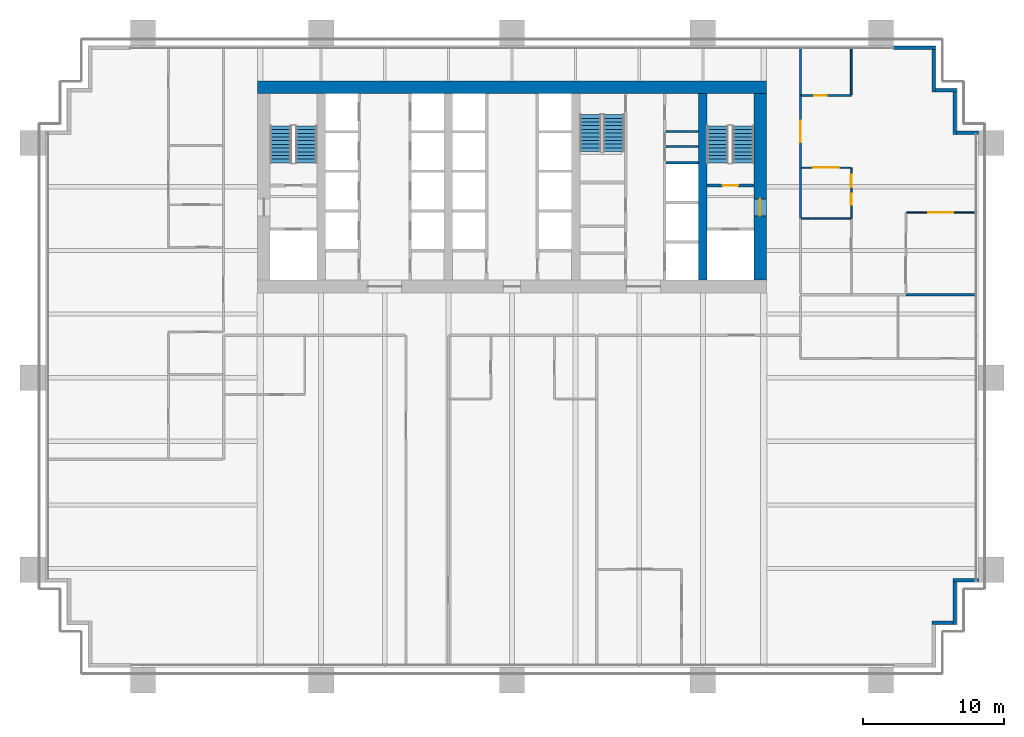
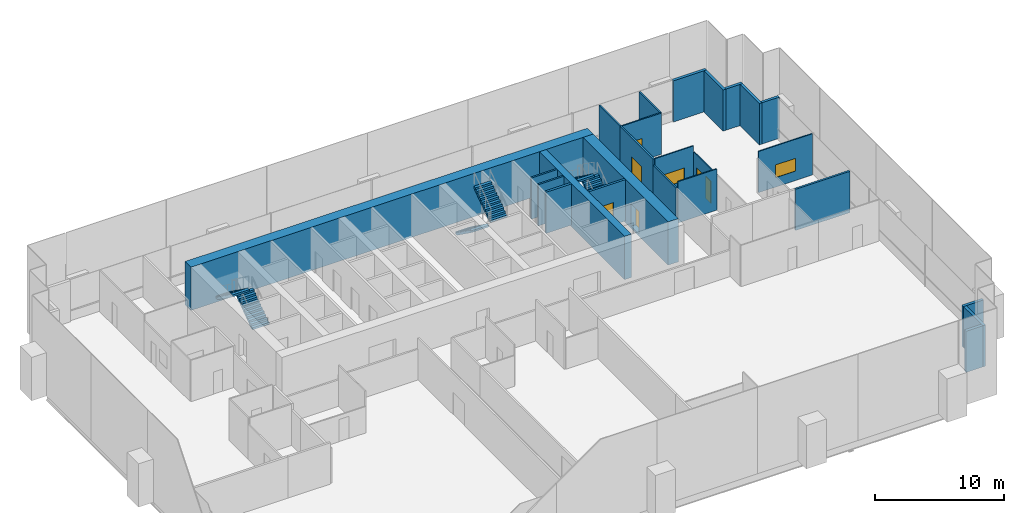
# One storey, part 14 of 17: 25 walls, 6 stair flights, 5 doors, 3 windows, 8 openings, 3 elements without a shape of their own.
"""IFC4 building model written with IfcOpenShell, lengths in metres."""

from ifc_helpers import new_model, si_unit, direction, frame, frame_2d, origin, place, context, subcontext, project, spatial, polyline, rectangle, outline, extrude, material, layer, layer_set, type_object, element, fill, aggregate, save


model = new_model("IFC4")

# Units and contexts
model_context = context("Model", 3, precision=1e-05, world=origin(), true_north=direction((0.0, 1.0)))
body_context = subcontext(model_context, "Body", "Model", "MODEL_VIEW")
ifc_project = project(units=[si_unit("LENGTHUNIT", "METRE"), si_unit("AREAUNIT", "SQUARE_METRE"), si_unit("VOLUMEUNIT", "CUBIC_METRE"), si_unit("PLANEANGLEUNIT", "RADIAN"), si_unit("MASSUNIT", "GRAM", prefix="KILO")], contexts=[model_context])

# Site, building, storey
site_placement = place(None, origin())
site = spatial("IfcSite", under=ifc_project, at=site_placement, CompositionType="ELEMENT")
building_placement = place(site_placement, origin())
building = spatial("IfcBuilding", under=site, at=building_placement, Name="Rattan Terrace Tower", CompositionType="ELEMENT")
storey_placement = place(building_placement, frame((0.0, 0.0, 44.699951171875)))
storey = spatial("IfcBuildingStorey", under=building, at=storey_placement, Name="L09", CompositionType="ELEMENT", Elevation=44.699951171875)

# Walls
ifc_material_1 = material(Name="Gypsum board partition")
ifc_layer_1 = layer(ifc_material_1, 0.14990234375)
ifc_layer_set_1 = layer_set([ifc_layer_1], Name="Core partition 150")
wall_type_1 = type_object("IfcWallType", Name="Core partition 150", PredefinedType="PARTITIONING", material=ifc_layer_set_1)
for number, where, z_axis, x_axis, name in (
    (1, (10.89990234375, 2.85595703125, 0.0), (0.0, 0.0, 1.0), (1.0, 0.0, 0.0), "Riser room wall"),
    (2, (10.89990234375, 3.912109375, 0.0), (0.0, 0.0, 1.0), (1.0, 0.0, 0.0), "Riser room wall"),
):
    element("IfcWall", number, at=place(storey_placement, frame(where, z_axis=z_axis, x_axis=x_axis)), inside=storey, type_object=wall_type_1, Name=name, PredefinedType="PARTITIONING", context=body_context, shape_type="SweptSolid", body=[
        extrude(rectangle(XDim=2.300048828125, YDim=0.14990234375, at=frame_2d((1.14990234375, 0.0))), origin(), (0.0, 0.0, 1.0), 3.900146484375),
    ])

# Wall, opening, door
ifc_material_2 = material(Name="Gypsum board partition")
ifc_layer_2 = layer(ifc_material_2, 0.199951171875)
ifc_layer_set_2 = layer_set([ifc_layer_2], Name="Core partition 200")
wall_type_2 = type_object("IfcWallType", Name="Core partition 200", PredefinedType="PARTITIONING", material=ifc_layer_set_2)
wall_1_placement = place(storey_placement, frame((13.800048828125, 0.10009765625, 0.0), z_axis=(0.0, 0.0, 1.0), x_axis=(1.0, 0.0, 0.0)))
wall_1 = element("IfcWall", 3, at=wall_1_placement, inside=storey, type_object=wall_type_2, Name="Stair enclosure wall", PredefinedType="PARTITIONING", context=body_context, shape_type="SweptSolid", body=[
    extrude(rectangle(XDim=3.300048828125, YDim=0.199951171875, at=frame_2d((1.64990234375, 0.0))), origin(), (0.0, 0.0, 1.0), 3.900146484375),
])
opening_1_placement = place(wall_1_placement, frame((1.10009765625, 0.0, 0.0)))
opening_1 = element("IfcOpeningElement", 4, at=opening_1_placement, cuts=wall_1, Name="Opening L09-D004", PredefinedType="OPENING", context=body_context, shape_type="SweptSolid", body=[
    extrude(rectangle(XDim=1.10009765625, YDim=2.10009765625, at=frame_2d((0.550048828125, 1.050048828125))), frame((0.0, 0.110595703125, 0.0), z_axis=(0.0, -1.0, 0.0), x_axis=(1.0, 0.0, 0.0)), (0.0, 0.0, 1.0), 0.220947265625),
])
ifc_material_3 = material(Name="Hollow-metal fire door leaf")
door_type_1 = type_object("IfcDoorType", Name="Core stair door 1100", OperationType="NOTDEFINED", PredefinedType="DOOR", material=ifc_material_3)
door_1_placement = place(opening_1_placement, origin())
door_1 = element("IfcDoor", 5, at=door_1_placement, inside=storey, type_object=door_type_1, Name="Door L09-D004", OperationType="SINGLE_SWING_RIGHT", OverallHeight=2.10009765625, OverallWidth=1.10009765625, PredefinedType="DOOR", context=body_context, shape_type="SweptSolid", body=[
    extrude(rectangle(XDim=1.10009765625, YDim=2.10009765625, at=frame_2d((0.550048828125, 1.050048828125))), frame((0.0, 0.02490234375, 0.0), z_axis=(0.0, -1.0, 0.0), x_axis=(1.0, 0.0, 0.0)), (0.0, 0.0, 1.0), 0.050048828125),
])
fill(opening_1, door_1)

# Wall
ifc_material_4 = material(Name="Concrete C70/85", Category="concrete")
ifc_layer_3 = layer(ifc_material_4, 0.89990234375)
ifc_layer_set_3 = layer_set([ifc_layer_3], Name="Core ring wall 900 C70/85")
wall_type_3 = type_object("IfcWallType", Name="Core ring wall 900 C70/85", PredefinedType="SHEAR", material=ifc_layer_set_3)
wall_2_placement = place(storey_placement, frame((-18.0, 7.050048828125, -0.199951171875), z_axis=(0.0, 0.0, 1.0), x_axis=(1.0, 0.0, 0.0)))
element("IfcWall", 6, at=wall_2_placement, inside=storey, type_object=wall_type_3, Name="Rear core wall north", PredefinedType="SHEAR", context=body_context, shape_type="SweptSolid", body=[
    extrude(rectangle(XDim=36.0, YDim=0.89990234375, at=frame_2d((18.0, 0.0))), origin(), (0.0, 0.0, 1.0), 4.10009765625),
])

# Wall, opening, door
wall_3_placement = place(storey_placement, frame((17.550048828125, -6.60009765625, -0.199951171875), z_axis=(0.0, 0.0, 1.0), x_axis=(0.0, 1.0, 0.0)))
wall_3 = element("IfcWall", 7, at=wall_3_placement, inside=storey, type_object=wall_type_3, Name="Rear core wall east", PredefinedType="SHEAR", context=body_context, shape_type="SweptSolid", body=[
    extrude(rectangle(XDim=13.2001953125, YDim=0.89990234375, at=frame_2d((6.60009765625, 0.0))), origin(), (0.0, 0.0, 1.0), 4.10009765625),
])
opening_2_placement = place(wall_3_placement, frame((4.550048828125, 0.0, 0.199951171875)))
opening_2 = element("IfcOpeningElement", 8, at=opening_2_placement, cuts=wall_3, Name="Opening L09-D003", PredefinedType="OPENING", context=body_context, shape_type="SweptSolid", body=[
    extrude(rectangle(XDim=1.199951171875, YDim=2.10009765625, at=frame_2d((0.60009765625, 1.050048828125))), frame((0.0, 0.46044921875, 0.0), z_axis=(0.0, -1.0, 0.0), x_axis=(1.0, 0.0, 0.0)), (0.0, 0.0, 1.0), 0.9208984375),
])
ifc_material_5 = material(Name="Hollow-metal fire door leaf")
door_type_2 = type_object("IfcDoorType", Name="Core fire-fighting lobby door 1200", OperationType="NOTDEFINED", PredefinedType="DOOR", material=ifc_material_5)
door_2_placement = place(opening_2_placement, origin())
door_2 = element("IfcDoor", 9, at=door_2_placement, inside=storey, type_object=door_type_2, Name="Door L09-D003", OperationType="SINGLE_SWING_LEFT", OverallHeight=2.10009765625, OverallWidth=1.199951171875, PredefinedType="DOOR", context=body_context, shape_type="SweptSolid", body=[
    extrude(rectangle(XDim=1.199951171875, YDim=2.10009765625, at=frame_2d((0.60009765625, 1.050048828125))), frame((0.0, 0.02490234375, 0.0), z_axis=(0.0, -1.0, 0.0), x_axis=(1.0, 0.0, 0.0)), (0.0, 0.0, 1.0), 0.050048828125),
])
fill(opening_2, door_2)

# Walls
ifc_material_6 = material(Name="Concrete C70/85", Category="concrete")
ifc_layer_4 = layer(ifc_material_6, 0.60009765625)
ifc_layer_set_4 = layer_set([ifc_layer_4], Name="Core spine wall 600 C70/85")
wall_type_4 = type_object("IfcWallType", Name="Core spine wall 600 C70/85", PredefinedType="SHEAR", material=ifc_layer_set_4)
wall_4_placement = place(storey_placement, frame((13.5, -6.60009765625, -0.199951171875), z_axis=(0.0, 0.0, 1.0), x_axis=(0.0, 1.0, 0.0)))
element("IfcWall", 10, at=wall_4_placement, inside=storey, type_object=wall_type_4, Name="Core spine wall 4", PredefinedType="SHEAR", context=body_context, shape_type="SweptSolid", body=[
    extrude(rectangle(XDim=13.2001953125, YDim=0.60009765625, at=frame_2d((6.60009765625, 0.0))), origin(), (0.0, 0.0, 1.0), 4.10009765625),
])
ifc_material_7 = material(Name="Insulated aluminium-clad stud wall", Category="aluminium")
ifc_layer_5 = layer(ifc_material_7, 0.25)
ifc_layer_set_5 = layer_set([ifc_layer_5], Name="Facade Riser Wall 250")
wall_type_5 = type_object("IfcWallType", Name="Facade Riser Wall 250", PredefinedType="SOLIDWALL", material=ifc_layer_set_5)
wall_5_placement = place(storey_placement, frame((29.705078125, -30.830078125, 0.0), z_axis=(0.0, 0.0, 1.0), x_axis=(1.0, 0.0, 0.0)))
element("IfcWall", 11, at=wall_5_placement, inside=storey, type_object=wall_type_5, Name="Riser wall L09-3", PredefinedType="SOLIDWALL", context=body_context, shape_type="SweptSolid", body=[
    extrude(rectangle(XDim=1.5, YDim=0.25, at=frame_2d((0.75, 0.0))), origin(), (0.0, 0.0, 1.0), 3.900146484375),
])
wall_6_placement = place(storey_placement, frame((31.330078125, -30.955078125, 0.0), z_axis=(0.0, 0.0, 1.0), x_axis=(0.0, 1.0, 0.0)))
element("IfcWall", 12, at=wall_6_placement, inside=storey, type_object=wall_type_5, Name="Riser wall L09-4", PredefinedType="SOLIDWALL", context=body_context, shape_type="SweptSolid", body=[
    extrude(rectangle(XDim=3.0, YDim=0.25, at=frame_2d((1.5, 0.0))), origin(), (0.0, 0.0, 1.0), 3.900146484375),
])
wall_7_placement = place(storey_placement, frame((31.205078125, -27.830078125, 0.0), z_axis=(0.0, 0.0, 1.0), x_axis=(1.0, 0.0, 0.0)))
element("IfcWall", 13, at=wall_7_placement, inside=storey, type_object=wall_type_5, Name="Riser wall L09-5", PredefinedType="SOLIDWALL", context=body_context, shape_type="SweptSolid", body=[
    extrude(rectangle(XDim=1.7998046875, YDim=0.25, at=frame_2d((0.89990234375, 0.0))), origin(), (0.0, 0.0, 1.0), 3.900146484375),
])
wall_8_placement = place(storey_placement, frame((33.0048828125, 3.830078125, 0.0), z_axis=(0.0, 0.0, 1.0), x_axis=(-1.0, 0.0, 0.0)))
element("IfcWall", 14, at=wall_8_placement, inside=storey, type_object=wall_type_5, Name="Riser wall L09-6", PredefinedType="SOLIDWALL", context=body_context, shape_type="SweptSolid", body=[
    extrude(rectangle(XDim=1.5498046875, YDim=0.25, at=frame_2d((0.77490234375, 0.0))), origin(), (0.0, 0.0, 1.0), 3.900146484375),
])
wall_9_placement = place(storey_placement, frame((31.330078125, 3.705078125, 0.0), z_axis=(0.0, 0.0, 1.0), x_axis=(0.0, 1.0, 0.0)))
element("IfcWall", 15, at=wall_9_placement, inside=storey, type_object=wall_type_5, Name="Riser wall L09-7", PredefinedType="SOLIDWALL", context=body_context, shape_type="SweptSolid", body=[
    extrude(rectangle(XDim=3.0, YDim=0.25, at=frame_2d((1.5, 0.0))), origin(), (0.0, 0.0, 1.0), 3.900146484375),
])
wall_10_placement = place(storey_placement, frame((31.455078125, 6.830078125, 0.0), z_axis=(0.0, 0.0, 1.0), x_axis=(-1.0, 0.0, 0.0)))
element("IfcWall", 16, at=wall_10_placement, inside=storey, type_object=wall_type_5, Name="Riser wall L09-8", PredefinedType="SOLIDWALL", context=body_context, shape_type="SweptSolid", body=[
    extrude(rectangle(XDim=1.5, YDim=0.25, at=frame_2d((0.75, 0.0))), origin(), (0.0, 0.0, 1.0), 3.900146484375),
])
wall_11_placement = place(storey_placement, frame((29.830078125, 6.705078125, 0.0), z_axis=(0.0, 0.0, 1.0), x_axis=(0.0, 1.0, 0.0)))
element("IfcWall", 17, at=wall_11_placement, inside=storey, type_object=wall_type_5, Name="Riser wall L09-9", PredefinedType="SOLIDWALL", context=body_context, shape_type="SweptSolid", body=[
    extrude(rectangle(XDim=3.0, YDim=0.25, at=frame_2d((1.5, 0.0))), origin(), (0.0, 0.0, 1.0), 3.900146484375),
])
wall_12_placement = place(storey_placement, frame((29.955078125, 9.830078125, 0.0), z_axis=(0.0, 0.0, 1.0), x_axis=(-1.0, 0.0, 0.0)))
element("IfcWall", 18, at=wall_12_placement, inside=storey, type_object=wall_type_5, Name="Riser wall L09-10", PredefinedType="SOLIDWALL", context=body_context, shape_type="SweptSolid", body=[
    extrude(rectangle(XDim=2.955078125, YDim=0.25, at=frame_2d((1.4775390625, 0.0))), origin(), (0.0, 0.0, 1.0), 3.900146484375),
])
ifc_material_8 = material(Name="Double steel stud acoustic partition, gypsum board, mineral wool, fire rated", Category="steel")
ifc_layer_6 = layer(ifc_material_8, 0.179931640625)
ifc_layer_set_6 = layer_set([ifc_layer_6], Name="Floors Acoustic Party Wall 180")
wall_type_6 = type_object("IfcWallType", Name="Floors Acoustic Party Wall 180", PredefinedType="PARTITIONING", material=ifc_layer_set_6)
wall_13_placement = place(storey_placement, frame((32.739990234375, -7.635986328125, 0.0), z_axis=(0.0, 0.0, 1.0), x_axis=(-1.0, 0.0, 0.0)))
element("IfcWall", 19, at=wall_13_placement, inside=storey, type_object=wall_type_6, Name="pt-L09-043", PredefinedType="PARTITIONING", context=body_context, shape_type="SweptSolid", body=[
    extrude(rectangle(XDim=4.8798828125, YDim=0.179931640625, at=frame_2d((2.43994140625, 0.0))), origin(), (0.0, 0.0, 1.0), 3.900146484375),
])

# Wall, opening, window
ifc_material_9 = material(Name="Gypsum board partition on steel studs", Category="steel")
ifc_layer_7 = layer(ifc_material_9, 0.10009765625)
ifc_layer_set_7 = layer_set([ifc_layer_7], Name="Floors Partition 100")
wall_type_7 = type_object("IfcWallType", Name="Floors Partition 100", PredefinedType="PARTITIONING", material=ifc_layer_set_7)
wall_14_placement = place(storey_placement, frame((32.739990234375, -1.818115234375, 0.0), z_axis=(0.0, 0.0, 1.0), x_axis=(-1.0, 0.0, 0.0)))
wall_14 = element("IfcWall", 20, at=wall_14_placement, inside=storey, type_object=wall_type_7, Name="pt-L09-035", PredefinedType="PARTITIONING", context=body_context, shape_type="SweptSolid", body=[
    extrude(rectangle(XDim=4.830078125, YDim=0.10009765625, at=frame_2d((2.4150390625, 0.0))), origin(), (0.0, 0.0, 1.0), 3.900146484375),
])
opening_3_placement = place(wall_14_placement, frame((1.514892578125, 0.0, 0.89990234375)))
opening_3 = element("IfcOpeningElement", 21, at=opening_3_placement, cuts=wall_14, Name="Opening L09-W103", PredefinedType="OPENING", context=body_context, shape_type="SweptSolid", body=[
    extrude(rectangle(XDim=1.800048828125, YDim=1.199951171875, at=frame_2d((0.89990234375, 0.60009765625))), frame((0.0, 0.060546875, 0.0), z_axis=(0.0, -1.0, 0.0), x_axis=(1.0, 0.0, 0.0)), (0.0, 0.0, 1.0), 0.12109375),
])
ifc_material_10 = material(Name="Glass, clear, fixed in aluminium frame", Category="aluminium")
window_type_1 = type_object("IfcWindowType", Name="Interior Vision Window 1800x1200", PartitioningType="SINGLE_PANEL", PredefinedType="WINDOW", material=ifc_material_10)
window_1_placement = place(opening_3_placement, origin())
window_1 = element("IfcWindow", 22, at=window_1_placement, inside=storey, type_object=window_type_1, Name="w-L09-103", OverallHeight=1.199951171875, OverallWidth=1.800048828125, PartitioningType="SINGLE_PANEL", PredefinedType="WINDOW", context=body_context, shape_type="SweptSolid", body=[
    extrude(rectangle(XDim=1.800048828125, YDim=1.199951171875, at=frame_2d((0.89990234375, 0.60009765625))), frame((0.0, 0.030029296875, 0.0), z_axis=(0.0, -1.0, 0.0), x_axis=(1.0, 0.0, 0.0)), (0.0, 0.0, 1.0), 0.06005859375),
])
fill(opening_3, window_1)

wall_15_placement = place(storey_placement, frame((23.949951171875, 1.364013671875, 0.0), z_axis=(0.0, 0.0, 1.0), x_axis=(-1.0, 0.0, 0.0)))
wall_15 = element("IfcWall", 23, at=wall_15_placement, inside=storey, type_object=wall_type_7, Name="pt-L09-037", PredefinedType="PARTITIONING", context=body_context, shape_type="SweptSolid", body=[
    extrude(rectangle(XDim=3.474853515625, YDim=0.10009765625, at=frame_2d((1.7373046875, 0.0))), origin(), (0.0, 0.0, 1.0), 3.900146484375),
])
opening_4_placement = place(wall_15_placement, frame((0.8369140625, 0.0, 0.89990234375)))
opening_4 = element("IfcOpeningElement", 24, at=opening_4_placement, cuts=wall_15, Name="Opening L09-W104", PredefinedType="OPENING", context=body_context, shape_type="SweptSolid", body=[
    extrude(rectangle(XDim=1.800048828125, YDim=1.199951171875, at=frame_2d((0.89990234375, 0.60009765625))), frame((0.0, 0.060546875, 0.0), z_axis=(0.0, -1.0, 0.0), x_axis=(1.0, 0.0, 0.0)), (0.0, 0.0, 1.0), 0.12109375),
])
window_2_placement = place(opening_4_placement, origin())
window_2 = element("IfcWindow", 25, at=window_2_placement, inside=storey, type_object=window_type_1, Name="w-L09-104", OverallHeight=1.199951171875, OverallWidth=1.800048828125, PartitioningType="SINGLE_PANEL", PredefinedType="WINDOW", context=body_context, shape_type="SweptSolid", body=[
    extrude(rectangle(XDim=1.800048828125, YDim=1.199951171875, at=frame_2d((0.89990234375, 0.60009765625))), frame((0.0, 0.030029296875, 0.0), z_axis=(0.0, -1.0, 0.0), x_axis=(1.0, 0.0, 0.0)), (0.0, 0.0, 1.0), 0.06005859375),
])
fill(opening_4, window_2)

# Wall, openings, door, window
wall_16_placement = place(storey_placement, frame((24.0, -2.216064453125, 0.0), z_axis=(0.0, 0.0, 1.0), x_axis=(0.0, 1.0, 0.0)))
wall_16 = element("IfcWall", 26, at=wall_16_placement, inside=storey, type_object=wall_type_7, Name="pt-L09-038", PredefinedType="PARTITIONING", context=body_context, shape_type="SweptSolid", body=[
    extrude(rectangle(XDim=3.580078125, YDim=0.10009765625, at=frame_2d((1.7900390625, 0.0))), origin(), (0.0, 0.0, 1.0), 3.300048828125),
])
opening_5_placement = place(wall_16_placement, frame((0.93408203125, 0.0, 0.0)))
opening_5 = element("IfcOpeningElement", 27, at=opening_5_placement, cuts=wall_16, Name="Opening L09-D109", PredefinedType="OPENING", context=body_context, shape_type="SweptSolid", body=[
    extrude(rectangle(XDim=0.800048828125, YDim=2.10009765625, at=frame_2d((0.39990234375, 1.050048828125))), frame((0.0, 0.060546875, 0.0), z_axis=(0.0, -1.0, 0.0), x_axis=(1.0, 0.0, 0.0)), (0.0, 0.0, 1.0), 0.12109375),
])
opening_6_placement = place(wall_16_placement, frame((2.181884765625, 0.0, 0.89990234375)))
opening_6 = element("IfcOpeningElement", 28, at=opening_6_placement, cuts=wall_16, Name="Opening L09-W105", PredefinedType="OPENING", context=body_context, shape_type="SweptSolid", body=[
    extrude(rectangle(XDim=0.89990234375, YDim=1.199951171875, at=frame_2d((0.449951171875, 0.60009765625))), frame((0.0, 0.060546875, 0.0), z_axis=(0.0, -1.0, 0.0), x_axis=(1.0, 0.0, 0.0)), (0.0, 0.0, 1.0), 0.12109375),
])
ifc_material_11 = material(Name="Solid core timber door, painted", Category="wood")
door_type_3 = type_object("IfcDoorType", Name="Floors Store Door 800x2100", OperationType="NOTDEFINED", PredefinedType="DOOR", material=ifc_material_11)
door_3_placement = place(opening_5_placement, origin())
door_3 = element("IfcDoor", 29, at=door_3_placement, inside=storey, type_object=door_type_3, Name="d-L09-109", OperationType="SINGLE_SWING_LEFT", OverallHeight=2.10009765625, OverallWidth=0.800048828125, PredefinedType="DOOR", context=body_context, shape_type="SweptSolid", body=[
    extrude(rectangle(XDim=0.800048828125, YDim=2.10009765625, at=frame_2d((0.39990234375, 1.050048828125))), frame((0.0, 0.02490234375, 0.0), z_axis=(0.0, -1.0, 0.0), x_axis=(1.0, 0.0, 0.0)), (0.0, 0.0, 1.0), 0.050048828125),
])
fill(opening_5, door_3)
ifc_material_12 = material(Name="Glass, clear, fixed in aluminium frame", Category="aluminium")
window_type_2 = type_object("IfcWindowType", Name="Interior Vision Window 900x1200", PartitioningType="SINGLE_PANEL", PredefinedType="WINDOW", material=ifc_material_12)
window_3_placement = place(opening_6_placement, origin())
window_3 = element("IfcWindow", 30, at=window_3_placement, inside=storey, type_object=window_type_2, Name="w-L09-105", OverallHeight=1.199951171875, OverallWidth=0.89990234375, PartitioningType="SINGLE_PANEL", PredefinedType="WINDOW", context=body_context, shape_type="SweptSolid", body=[
    extrude(rectangle(XDim=0.89990234375, YDim=1.199951171875, at=frame_2d((0.449951171875, 0.60009765625))), frame((0.0, 0.030029296875, 0.0), z_axis=(0.0, -1.0, 0.0), x_axis=(1.0, 0.0, 0.0)), (0.0, 0.0, 1.0), 0.06005859375),
])
fill(opening_6, window_3)

# Wall
wall_17_placement = place(storey_placement, frame((20.47509765625, -2.236083984375, 0.0), z_axis=(0.0, 0.0, 1.0), x_axis=(1.0, 0.0, 0.0)))
element("IfcWall", 31, at=wall_17_placement, inside=storey, type_object=wall_type_7, Name="pt-L09-044", PredefinedType="PARTITIONING", context=body_context, shape_type="SweptSolid", body=[
    extrude(rectangle(XDim=3.474853515625, YDim=0.10009765625, at=frame_2d((1.7373046875, 0.0))), origin(), (0.0, 0.0, 1.0), 3.900146484375),
])

# Wall, opening, door
ifc_material_13 = material(Name="Gypsum board partition on steel studs, fire rated", Category="steel")
ifc_layer_8 = layer(ifc_material_13, 0.14990234375)
ifc_layer_set_8 = layer_set([ifc_layer_8], Name="Floors Tenancy Wall 150")
wall_type_8 = type_object("IfcWallType", Name="Floors Tenancy Wall 150", PredefinedType="PARTITIONING", material=ifc_layer_set_8)
wall_18_placement = place(storey_placement, frame((20.39990234375, 6.48388671875, 0.0), z_axis=(0.0, 0.0, 1.0), x_axis=(0.0, -1.0, 0.0)))
wall_18 = element("IfcWall", 32, at=wall_18_placement, inside=storey, type_object=wall_type_8, Name="pt-L09-005", PredefinedType="PARTITIONING", context=body_context, shape_type="SweptSolid", body=[
    extrude(rectangle(XDim=5.139892578125, YDim=0.14990234375, at=frame_2d((2.56982421875, 0.0))), origin(), (0.0, 0.0, 1.0), 3.900146484375),
])
opening_7_placement = place(wall_18_placement, frame((1.820068359375, 0.0, 0.0)))
opening_7 = element("IfcOpeningElement", 33, at=opening_7_placement, cuts=wall_18, Name="Opening L09-D106", PredefinedType="OPENING", context=body_context, shape_type="SweptSolid", body=[
    extrude(rectangle(XDim=1.5, YDim=2.10009765625, at=frame_2d((0.75, 1.050048828125))), frame((0.0, 0.08544921875, 0.0), z_axis=(0.0, -1.0, 0.0), x_axis=(1.0, 0.0, 0.0)), (0.0, 0.0, 1.0), 0.1708984375),
])
ifc_material_14 = material(Name="Steel fire door set", Category="steel")
door_type_4 = type_object("IfcDoorType", Name="Floors Unit Door Pair FD30S 1500x2100", OperationType="NOTDEFINED", PredefinedType="DOOR", material=ifc_material_14)
door_4_placement = place(opening_7_placement, origin())
door_4 = element("IfcDoor", 34, at=door_4_placement, inside=storey, type_object=door_type_4, Name="d-L09-106", OperationType="DOUBLE_DOOR_SINGLE_SWING", OverallHeight=2.10009765625, OverallWidth=1.5, PredefinedType="DOOR", context=body_context, shape_type="SweptSolid", body=[
    extrude(rectangle(XDim=1.5, YDim=2.10009765625, at=frame_2d((0.75, 1.050048828125))), frame((0.0, 0.02490234375, 0.0), z_axis=(0.0, -1.0, 0.0), x_axis=(1.0, 0.0, 0.0)), (0.0, 0.0, 1.0), 0.050048828125),
])
fill(opening_7, door_4)

# Walls
wall_19_placement = place(storey_placement, frame((20.39990234375, 1.343994140625, 0.0), z_axis=(0.0, 0.0, 1.0), x_axis=(0.0, -1.0, 0.0)))
element("IfcWall", 35, at=wall_19_placement, inside=storey, type_object=wall_type_8, Name="pt-L09-007", PredefinedType="PARTITIONING", context=body_context, shape_type="SweptSolid", body=[
    extrude(rectangle(XDim=3.56005859375, YDim=0.14990234375, at=frame_2d((1.780029296875, 0.0))), origin(), (0.0, 0.0, 1.0), 3.300048828125),
])
wall_20_placement = place(storey_placement, frame((20.39990234375, 9.739990234375, 0.0), z_axis=(0.0, 0.0, 1.0), x_axis=(0.0, -1.0, 0.0)))
element("IfcWall", 36, at=wall_20_placement, inside=storey, type_object=wall_type_8, Name="pt-L09-008", PredefinedType="PARTITIONING", context=body_context, shape_type="SweptSolid", body=[
    extrude(rectangle(XDim=3.256103515625, YDim=0.14990234375, at=frame_2d((1.6279296875, 0.0))), origin(), (0.0, 0.0, 1.0), 3.900146484375),
])

# Wall, opening, door
ifc_material_15 = material(Name="Moisture resistant gypsum board partition on steel studs with service cavity", Category="steel")
ifc_layer_9 = layer(ifc_material_15, 0.1201171875)
ifc_layer_set_9 = layer_set([ifc_layer_9], Name="Floors Wet Wall 120")
wall_type_9 = type_object("IfcWallType", Name="Floors Wet Wall 120", PredefinedType="PARTITIONING", material=ifc_layer_set_9)
wall_21_placement = place(storey_placement, frame((20.47509765625, 6.464111328125, 0.0), z_axis=(0.0, 0.0, 1.0), x_axis=(1.0, 0.0, 0.0)))
wall_21 = element("IfcWall", 37, at=wall_21_placement, inside=storey, type_object=wall_type_9, Name="pt-L09-039", PredefinedType="PARTITIONING", context=body_context, shape_type="SweptSolid", body=[
    extrude(rectangle(XDim=3.52490234375, YDim=0.1201171875, at=frame_2d((1.762451171875, 0.0))), origin(), (0.0, 0.0, 1.0), 3.900146484375),
])
opening_8_placement = place(wall_21_placement, frame((0.886962890625, 0.0, 0.0)))
opening_8 = element("IfcOpeningElement", 38, at=opening_8_placement, cuts=wall_21, Name="Opening L09-D110", PredefinedType="OPENING", context=body_context, shape_type="SweptSolid", body=[
    extrude(rectangle(XDim=0.89990234375, YDim=2.10009765625, at=frame_2d((0.449951171875, 1.050048828125))), frame((0.0, 0.070556640625, 0.0), z_axis=(0.0, -1.0, 0.0), x_axis=(1.0, 0.0, 0.0)), (0.0, 0.0, 1.0), 0.14111328125),
])
ifc_material_16 = material(Name="Solid core timber door, painted", Category="wood")
door_type_5 = type_object("IfcDoorType", Name="Floors Door 900x2100", OperationType="NOTDEFINED", PredefinedType="DOOR", material=ifc_material_16)
door_5_placement = place(opening_8_placement, origin())
door_5 = element("IfcDoor", 39, at=door_5_placement, inside=storey, type_object=door_type_5, Name="d-L09-110", OperationType="SINGLE_SWING_LEFT", OverallHeight=2.10009765625, OverallWidth=0.89990234375, PredefinedType="DOOR", context=body_context, shape_type="SweptSolid", body=[
    extrude(rectangle(XDim=0.89990234375, YDim=2.10009765625, at=frame_2d((0.449951171875, 1.050048828125))), frame((0.0, 0.02490234375, 0.0), z_axis=(0.0, -1.0, 0.0), x_axis=(1.0, 0.0, 0.0)), (0.0, 0.0, 1.0), 0.050048828125),
])
fill(opening_8, door_5)

# Walls
wall_22_placement = place(storey_placement, frame((24.0, 6.52392578125, 0.0), z_axis=(0.0, 0.0, 1.0), x_axis=(0.0, 1.0, 0.0)))
element("IfcWall", 40, at=wall_22_placement, inside=storey, type_object=wall_type_9, Name="pt-L09-040", PredefinedType="PARTITIONING", context=body_context, shape_type="SweptSolid", body=[
    extrude(rectangle(XDim=3.216064453125, YDim=0.1201171875, at=frame_2d((1.60791015625, 0.0))), origin(), (0.0, 0.0, 1.0), 3.900146484375),
])
ifc_material_17 = material(Name="Gypsum shaft wall system")
ifc_layer_10 = layer(ifc_material_17, 0.199951171875)
ifc_layer_set_10 = layer_set([ifc_layer_10], Name="Lift shaft wall 200")
wall_type_10 = type_object("IfcWallType", Name="Lift shaft wall 200", PredefinedType="PARTITIONING", material=ifc_layer_set_10)
wall_23_placement = place(storey_placement, frame((10.89990234375, 1.699951171875, 0.0), z_axis=(0.0, 0.0, 1.0), x_axis=(1.0, 0.0, 0.0)))
element("IfcWall", 41, at=wall_23_placement, inside=storey, type_object=wall_type_10, Name="Lift shaft wall", PredefinedType="PARTITIONING", context=body_context, shape_type="SweptSolid", body=[
    extrude(rectangle(XDim=2.300048828125, YDim=0.199951171875, at=frame_2d((1.14990234375, 0.0))), origin(), (0.0, 0.0, 1.0), 3.900146484375),
])

# Stair, stair flights
ifc_material_18 = material(Name="Concrete C40/50", Category="concrete")
stair_type = type_object("IfcStairType", Name="Core exit stair 1500", PredefinedType="HALF_TURN_STAIR", material=ifc_material_18)
stair_1_placement = place(storey_placement, origin())
stair_1 = element("IfcStair", 42, at=stair_1_placement, inside=storey, type_object=stair_type, Name="L09 exit stair 1", PredefinedType="HALF_TURN_STAIR")
ifc_material_19 = material(Name="Concrete C40/50", Category="concrete")
stair_flight_type = type_object("IfcStairFlightType", Name="Core exit stair flight 1500", PredefinedType="STRAIGHT", material=ifc_material_19)
stair_flight_1_placement = place(storey_placement, frame((-14.550048828125, 1.699951171875, 0.0), z_axis=(0.0, 0.0, 1.0), x_axis=(0.0, 1.0, 0.0)))
stair_flight_1 = element("IfcStairFlight", 43, at=stair_flight_1_placement, type_object=stair_flight_type, Name="S1 flight 1", NumberOfRisers=11, NumberOfTreads=10, PredefinedType="STRAIGHT", RiserHeight=0.186363636, TreadLength=0.26, context=body_context, shape_type="SweptSolid", body=[
    extrude(outline(polyline([(0.0, 0.0), (0.0, 0.186279296875), (0.260009765625, 0.186279296875), (0.260009765625, 0.372802734375), (0.52001953125, 0.372802734375), (0.52001953125, 0.55908203125), (0.780029296875, 0.55908203125), (0.780029296875, 0.745361328125), (1.0400390625, 0.745361328125), (1.0400390625, 0.931884765625), (1.300048828125, 0.931884765625), (1.300048828125, 1.1181640625), (1.56005859375, 1.1181640625), (1.56005859375, 1.304443359375), (1.820068359375, 1.304443359375), (1.820068359375, 1.490966796875), (2.080078125, 1.490966796875), (2.080078125, 1.67724609375), (2.340087890625, 1.67724609375), (2.340087890625, 1.863525390625), (2.60009765625, 1.863525390625), (2.60009765625, 2.050048828125), (2.60009765625, 1.67919921875), (0.25732421875, 0.0), (0.0, 0.0)])), frame((0.0, 0.75, 0.0), z_axis=(0.0, -1.0, 0.0), x_axis=(1.0, 0.0, 0.0)), (0.0, 0.0, 1.0), 1.5),
])
stair_flight_2_placement = place(storey_placement, frame((-16.35009765625, 4.300048828125, 2.050048828125), z_axis=(0.0, 0.0, 1.0), x_axis=(0.0, -1.0, 0.0)))
stair_flight_2 = element("IfcStairFlight", 44, at=stair_flight_2_placement, type_object=stair_flight_type, Name="S1 flight 2", NumberOfRisers=11, NumberOfTreads=10, PredefinedType="STRAIGHT", RiserHeight=0.186363636, TreadLength=0.26, context=body_context, shape_type="SweptSolid", body=[
    extrude(outline(polyline([(0.0, 0.0), (0.0, 0.186279296875), (0.260009765625, 0.186279296875), (0.260009765625, 0.372802734375), (0.52001953125, 0.372802734375), (0.52001953125, 0.55908203125), (0.780029296875, 0.55908203125), (0.780029296875, 0.745361328125), (1.0400390625, 0.745361328125), (1.0400390625, 0.931884765625), (1.300048828125, 0.931884765625), (1.300048828125, 1.1181640625), (1.56005859375, 1.1181640625), (1.56005859375, 1.304443359375), (1.820068359375, 1.304443359375), (1.820068359375, 1.490966796875), (2.080078125, 1.490966796875), (2.080078125, 1.67724609375), (2.340087890625, 1.67724609375), (2.340087890625, 1.863525390625), (2.60009765625, 1.863525390625), (2.60009765625, 2.050048828125), (2.60009765625, 1.67919921875), (0.25732421875, 0.0), (0.0, 0.0)])), frame((0.0, 0.75, 0.0), z_axis=(0.0, -1.0, 0.0), x_axis=(1.0, 0.0, 0.0)), (0.0, 0.0, 1.0), 1.5),
])
aggregate(stair_1, [stair_flight_1, stair_flight_2])

stair_2_placement = place(storey_placement, origin())
stair_2 = element("IfcStair", 45, at=stair_2_placement, inside=storey, type_object=stair_type, Name="L09 exit stair 2", PredefinedType="HALF_TURN_STAIR")
stair_flight_3_placement = place(storey_placement, frame((16.35009765625, 1.699951171875, 0.0), z_axis=(0.0, 0.0, 1.0), x_axis=(0.0, 1.0, 0.0)))
stair_flight_3 = element("IfcStairFlight", 46, at=stair_flight_3_placement, type_object=stair_flight_type, Name="S2 flight 1", NumberOfRisers=11, NumberOfTreads=10, PredefinedType="STRAIGHT", RiserHeight=0.186363636, TreadLength=0.26, context=body_context, shape_type="SweptSolid", body=[
    extrude(outline(polyline([(0.0, 0.0), (0.0, 0.186279296875), (0.260009765625, 0.186279296875), (0.260009765625, 0.372802734375), (0.52001953125, 0.372802734375), (0.52001953125, 0.55908203125), (0.780029296875, 0.55908203125), (0.780029296875, 0.745361328125), (1.0400390625, 0.745361328125), (1.0400390625, 0.931884765625), (1.300048828125, 0.931884765625), (1.300048828125, 1.1181640625), (1.56005859375, 1.1181640625), (1.56005859375, 1.304443359375), (1.820068359375, 1.304443359375), (1.820068359375, 1.490966796875), (2.080078125, 1.490966796875), (2.080078125, 1.67724609375), (2.340087890625, 1.67724609375), (2.340087890625, 1.863525390625), (2.60009765625, 1.863525390625), (2.60009765625, 2.050048828125), (2.60009765625, 1.67919921875), (0.25732421875, 0.0), (0.0, 0.0)])), frame((0.0, 0.75, 0.0), z_axis=(0.0, -1.0, 0.0), x_axis=(1.0, 0.0, 0.0)), (0.0, 0.0, 1.0), 1.5),
])
stair_flight_4_placement = place(storey_placement, frame((14.550048828125, 4.300048828125, 2.050048828125), z_axis=(0.0, 0.0, 1.0), x_axis=(0.0, -1.0, 0.0)))
stair_flight_4 = element("IfcStairFlight", 47, at=stair_flight_4_placement, type_object=stair_flight_type, Name="S2 flight 2", NumberOfRisers=11, NumberOfTreads=10, PredefinedType="STRAIGHT", RiserHeight=0.186363636, TreadLength=0.26, context=body_context, shape_type="SweptSolid", body=[
    extrude(outline(polyline([(0.0, 0.0), (0.0, 0.186279296875), (0.260009765625, 0.186279296875), (0.260009765625, 0.372802734375), (0.52001953125, 0.372802734375), (0.52001953125, 0.55908203125), (0.780029296875, 0.55908203125), (0.780029296875, 0.745361328125), (1.0400390625, 0.745361328125), (1.0400390625, 0.931884765625), (1.300048828125, 0.931884765625), (1.300048828125, 1.1181640625), (1.56005859375, 1.1181640625), (1.56005859375, 1.304443359375), (1.820068359375, 1.304443359375), (1.820068359375, 1.490966796875), (2.080078125, 1.490966796875), (2.080078125, 1.67724609375), (2.340087890625, 1.67724609375), (2.340087890625, 1.863525390625), (2.60009765625, 1.863525390625), (2.60009765625, 2.050048828125), (2.60009765625, 1.67919921875), (0.25732421875, 0.0), (0.0, 0.0)])), frame((0.0, 0.75, 0.0), z_axis=(0.0, -1.0, 0.0), x_axis=(1.0, 0.0, 0.0)), (0.0, 0.0, 1.0), 1.5),
])
aggregate(stair_2, [stair_flight_3, stair_flight_4])

stair_3_placement = place(storey_placement, origin())
stair_3 = element("IfcStair", 48, at=stair_3_placement, inside=storey, type_object=stair_type, Name="L09 exit stair 3", PredefinedType="HALF_TURN_STAIR")
stair_flight_5_placement = place(storey_placement, frame((5.550048828125, 5.10009765625, 0.0), z_axis=(0.0, 0.0, 1.0), x_axis=(0.0, -1.0, 0.0)))
stair_flight_5 = element("IfcStairFlight", 49, at=stair_flight_5_placement, type_object=stair_flight_type, Name="S3 flight 1", NumberOfRisers=11, NumberOfTreads=10, PredefinedType="STRAIGHT", RiserHeight=0.186363636, TreadLength=0.26, context=body_context, shape_type="SweptSolid", body=[
    extrude(outline(polyline([(0.0, 0.0), (0.0, 0.186279296875), (0.260009765625, 0.186279296875), (0.260009765625, 0.372802734375), (0.52001953125, 0.372802734375), (0.52001953125, 0.55908203125), (0.780029296875, 0.55908203125), (0.780029296875, 0.745361328125), (1.0400390625, 0.745361328125), (1.0400390625, 0.931884765625), (1.300048828125, 0.931884765625), (1.300048828125, 1.1181640625), (1.56005859375, 1.1181640625), (1.56005859375, 1.304443359375), (1.820068359375, 1.304443359375), (1.820068359375, 1.490966796875), (2.080078125, 1.490966796875), (2.080078125, 1.67724609375), (2.340087890625, 1.67724609375), (2.340087890625, 1.863525390625), (2.60009765625, 1.863525390625), (2.60009765625, 2.050048828125), (2.60009765625, 1.67919921875), (0.25732421875, 0.0), (0.0, 0.0)])), frame((0.0, 0.75, 0.0), z_axis=(0.0, -1.0, 0.0), x_axis=(1.0, 0.0, 0.0)), (0.0, 0.0, 1.0), 1.5),
])
stair_flight_6_placement = place(storey_placement, frame((7.199951171875, 2.5, 2.050048828125), z_axis=(0.0, 0.0, 1.0), x_axis=(0.0, 1.0, 0.0)))
stair_flight_6 = element("IfcStairFlight", 50, at=stair_flight_6_placement, type_object=stair_flight_type, Name="S3 flight 2", NumberOfRisers=11, NumberOfTreads=10, PredefinedType="STRAIGHT", RiserHeight=0.186363636, TreadLength=0.26, context=body_context, shape_type="SweptSolid", body=[
    extrude(outline(polyline([(0.0, 0.0), (0.0, 0.186279296875), (0.260009765625, 0.186279296875), (0.260009765625, 0.372802734375), (0.52001953125, 0.372802734375), (0.52001953125, 0.55908203125), (0.780029296875, 0.55908203125), (0.780029296875, 0.745361328125), (1.0400390625, 0.745361328125), (1.0400390625, 0.931884765625), (1.300048828125, 0.931884765625), (1.300048828125, 1.1181640625), (1.56005859375, 1.1181640625), (1.56005859375, 1.304443359375), (1.820068359375, 1.304443359375), (1.820068359375, 1.490966796875), (2.080078125, 1.490966796875), (2.080078125, 1.67724609375), (2.340087890625, 1.67724609375), (2.340087890625, 1.863525390625), (2.60009765625, 1.863525390625), (2.60009765625, 2.050048828125), (2.60009765625, 1.67919921875), (0.25732421875, 0.0), (0.0, 0.0)])), frame((0.0, 0.75, 0.0), z_axis=(0.0, -1.0, 0.0), x_axis=(1.0, 0.0, 0.0)), (0.0, 0.0, 1.0), 1.5),
])
aggregate(stair_3, [stair_flight_5, stair_flight_6])

save(model, "model.ifc")
